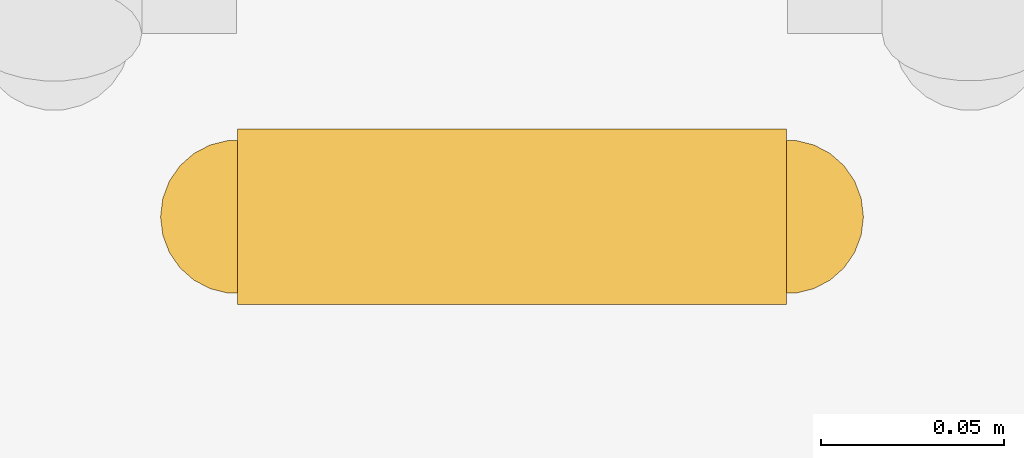
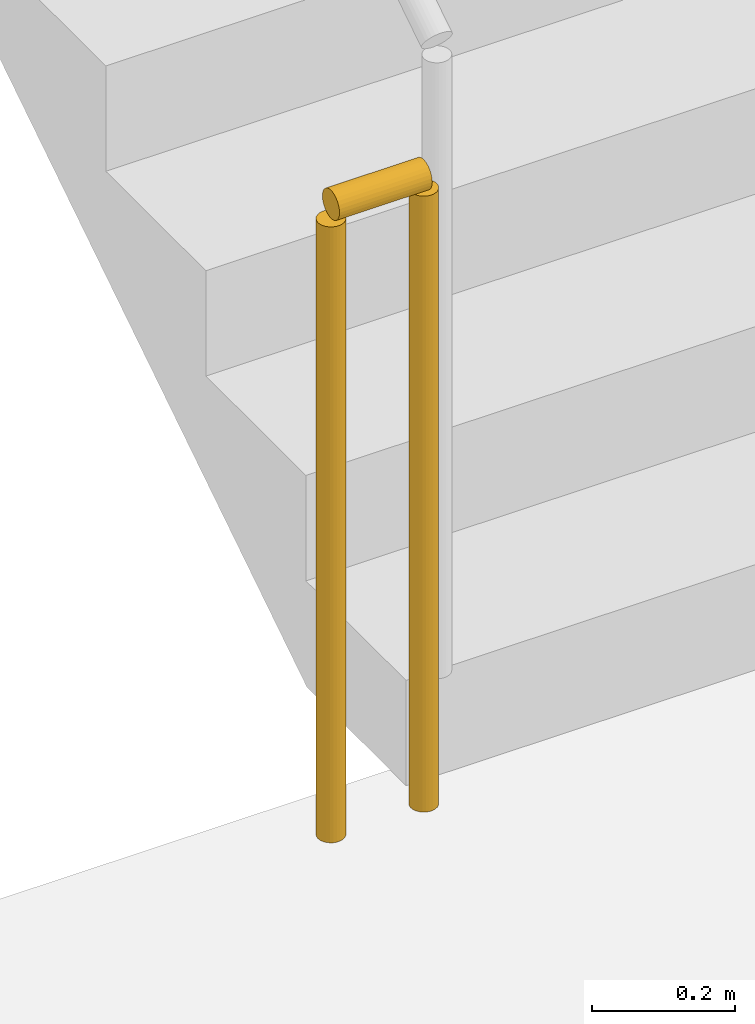
# One storey, part 8 of 13: 1 railing.
"""IFC4 building model written with IfcOpenShell, lengths in metres."""

from ifc_helpers import new_model, si_unit, direction, frame, origin, origin_2d, place, context, subcontext, project, spatial, circle, extrude, material, type_object, element, save


model = new_model("IFC4")

# Units and contexts
model_context = context("Model", 3, precision=1e-05, world=origin(), true_north=direction((0.0, 1.0)))
body_context = subcontext(model_context, "Body", "Model", "MODEL_VIEW")
ifc_project = project(units=[si_unit("LENGTHUNIT", "METRE"), si_unit("AREAUNIT", "SQUARE_METRE"), si_unit("VOLUMEUNIT", "CUBIC_METRE"), si_unit("PLANEANGLEUNIT", "RADIAN"), si_unit("MASSUNIT", "GRAM", prefix="KILO")], contexts=[model_context])

# Site, building, storey
site_placement = place(None, origin())
site = spatial("IfcSite", under=ifc_project, at=site_placement, CompositionType="ELEMENT")
building_placement = place(site_placement, origin())
building = spatial("IfcBuilding", under=site, at=building_placement, Name="Qorvath Tower", CompositionType="ELEMENT")
storey_placement = place(building_placement, frame((0.0, 0.0, 174.60009765625)))
storey = spatial("IfcBuildingStorey", under=building, at=storey_placement, Name="L40", CompositionType="ELEMENT", Elevation=174.60009765625)

# Railing
ifc_material = material(Name="Painted galvanised steel", Category="steel")
railing_type = type_object("IfcRailingType", Name="RL-STR-GRD", PredefinedType="GUARDRAIL", material=ifc_material)
railing_placement = place(storey_placement, frame((-36.280029296875, -2.77001953125, 0.0)))
element("IfcRailing", 1, at=railing_placement, inside=storey, type_object=railing_type, Name="L40 TS3 stair guard 4", PredefinedType="GUARDRAIL", context=body_context, shape_type="SweptSolid", body=[
    extrude(circle(Radius=0.02392578125, at=origin_2d()), frame((0.0, 0.0, 1.076171875), z_axis=(-1.0, 0.0, 0.0), x_axis=(0.0, -1.0, 0.0)), (0.0, 0.0, 1.0), 0.14990234375),
    extrude(circle(Radius=0.02099609375, at=origin_2d()), origin(), (0.0, 0.0, 1.0), 1.052001953125),
    extrude(circle(Radius=0.02099609375, at=origin_2d()), frame((-0.14990234375, 0.0, 0.0)), (0.0, 0.0, 1.0), 1.052001953125),
])

save(model, "model.ifc")
